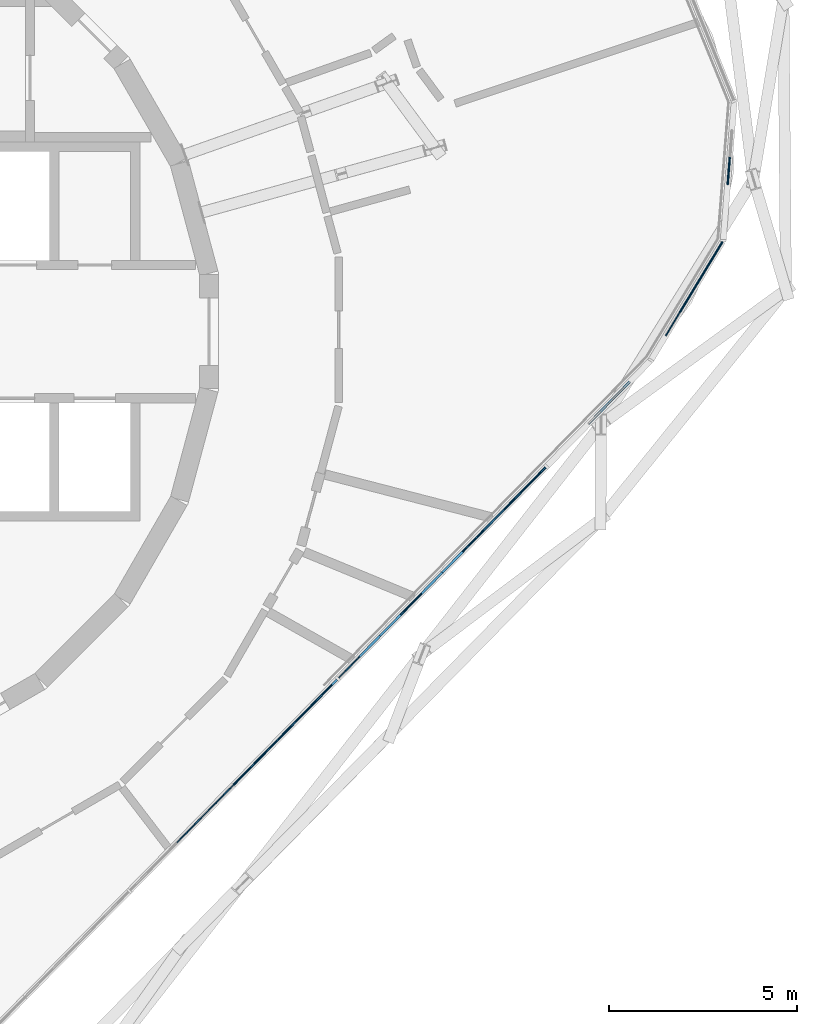
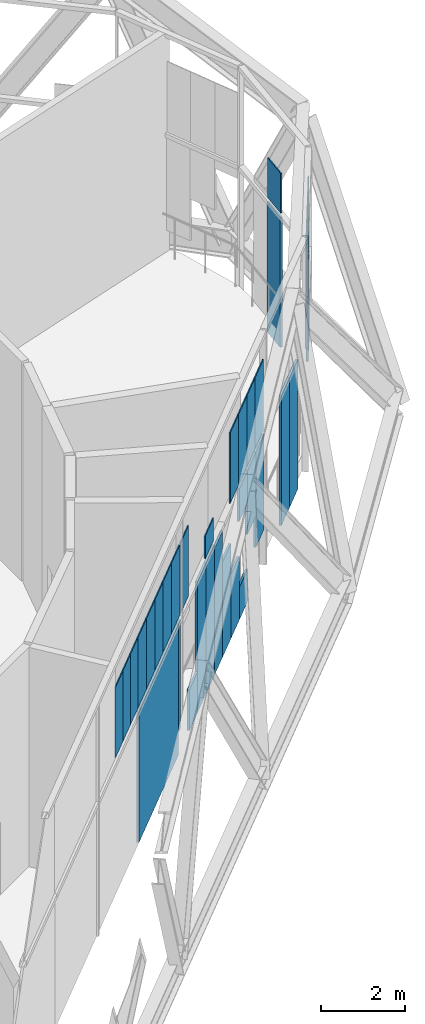
# One storey, part 11 of 23: 37 plates, 2 elements without a shape of their own.
"""IFC4 building model written with IfcOpenShell, lengths in metres."""

from ifc_helpers import new_model, si_unit, direction, frame, origin, origin_2d, place, context, subcontext, project, spatial, rectangle, extrude, material, layer, layer_set, type_object, element, aggregate, save


model = new_model("IFC4")

# Units and contexts
model_context = context("Model", 3, precision=1e-05, world=origin(), true_north=direction((0.0, 1.0)))
body_context = subcontext(model_context, "Body", "Model", "MODEL_VIEW")
ifc_project = project(units=[si_unit("LENGTHUNIT", "METRE"), si_unit("AREAUNIT", "SQUARE_METRE"), si_unit("VOLUMEUNIT", "CUBIC_METRE"), si_unit("PLANEANGLEUNIT", "RADIAN"), si_unit("MASSUNIT", "GRAM", prefix="KILO")], contexts=[model_context])

# Site, building, storey
site_placement = place(None, origin())
site = spatial("IfcSite", under=ifc_project, at=site_placement, CompositionType="ELEMENT")
building_placement = place(site_placement, origin())
building = spatial("IfcBuilding", under=site, at=building_placement, Name="Spindle Arch Residences", CompositionType="ELEMENT")
storey_placement = place(building_placement, frame((0.0, 0.0, 326.199951171875)))
storey = spatial("IfcBuildingStorey", under=building, at=storey_placement, Name="L84", CompositionType="ELEMENT", Elevation=326.199951171875)

# Curtain wall, plates
ifc_material_1 = material(Name="Aluminium bronze unitised frame with tinted glass", Category="aluminium")
ifc_layer_1 = layer(ifc_material_1, 0.159912109375)
ifc_layer_set_1 = layer_set([ifc_layer_1], Name="CW-E double-height winter garden wall")
curtain_wall_type = type_object("IfcCurtainWallType", Name="CW-E double-height winter garden wall", PredefinedType="NOTDEFINED", material=ifc_layer_set_1)
curtain_wall_1_placement = place(storey_placement, origin())
curtain_wall_1 = element("IfcCurtainWall", 1, at=curtain_wall_1_placement, inside=storey, type_object=curtain_wall_type, Name="CW-E L84 run 1", PredefinedType="NOTDEFINED")
ifc_material_2 = material(Name="Tinted laminated glass 28 mm", Category="glass")
ifc_layer_2 = layer(ifc_material_2, 0.028076171875)
ifc_layer_set_2 = layer_set([ifc_layer_2], Name="Tinted glass panel 28 mm")
plate_type_1 = type_object("IfcPlateType", Name="Tinted glass panel 28 mm", PredefinedType="CURTAIN_PANEL", material=ifc_layer_set_2)
plate_1_placement = place(storey_placement, frame((24.010498046875, 0.201904296875, 3.460205078125), z_axis=(0.0, 0.0, 1.0), x_axis=(0.517529288252, 0.855665492936, 0.0)))
plate_1 = element("IfcPlate", 2, at=plate_1_placement, type_object=plate_type_1, Name="CW-E panel 01b.1", PredefinedType="CURTAIN_PANEL", context=body_context, shape_type="SweptSolid", body=[
    extrude(rectangle(XDim=0.7333984375, YDim=0.028076171875, at=origin_2d()), origin(), (0.0, 0.0, 1.0), 2.0458984375),
])
plate_2_placement = place(storey_placement, frame((24.39013671875, 0.829345703125, 3.460205078125), z_axis=(0.0, 0.0, 1.0), x_axis=(0.517529288252, 0.855665492936, 0.0)))
plate_2 = element("IfcPlate", 3, at=plate_2_placement, type_object=plate_type_1, Name="CW-E panel 01b.2", PredefinedType="CURTAIN_PANEL", context=body_context, shape_type="SweptSolid", body=[
    extrude(rectangle(XDim=0.7333984375, YDim=0.028076171875, at=origin_2d()), origin(), (0.0, 0.0, 1.0), 2.0458984375),
])
plate_3_placement = place(storey_placement, frame((24.76953125, 1.456787109375, 3.460205078125), z_axis=(0.0, 0.0, 1.0), x_axis=(0.517529288252, 0.855665492936, 0.0)))
plate_3 = element("IfcPlate", 4, at=plate_3_placement, type_object=plate_type_1, Name="CW-E panel 01b.3", PredefinedType="CURTAIN_PANEL", context=body_context, shape_type="SweptSolid", body=[
    extrude(rectangle(XDim=0.7333984375, YDim=0.028076171875, at=origin_2d()), origin(), (0.0, 0.0, 1.0), 2.0458984375),
])
plate_4_placement = place(storey_placement, frame((25.149169921875, 2.08447265625, 3.460205078125), z_axis=(0.0, 0.0, 1.0), x_axis=(0.517529288252, 0.855665492936, 0.0)))
plate_4 = element("IfcPlate", 5, at=plate_4_placement, type_object=plate_type_1, Name="CW-E panel 01b.4", PredefinedType="CURTAIN_PANEL", context=body_context, shape_type="SweptSolid", body=[
    extrude(rectangle(XDim=0.7333984375, YDim=0.028076171875, at=origin_2d()), origin(), (0.0, 0.0, 1.0), 2.0458984375),
])
plate_5_placement = place(storey_placement, frame((25.50048828125, 4.281494140625, 3.4599609375), z_axis=(0.0, 0.0, 1.0), x_axis=(0.078459091935, 0.996917334032, 0.0)))
plate_5 = element("IfcPlate", 6, at=plate_5_placement, type_object=plate_type_1, Name="CW-E panel 02b.1", PredefinedType="CURTAIN_PANEL", context=body_context, shape_type="SweptSolid", body=[
    extrude(rectangle(XDim=0.7333984375, YDim=0.028076171875, at=origin_2d()), origin(), (0.0, 0.0, 1.0), 1.15625),
])

curtain_wall_2_placement = place(storey_placement, origin())
curtain_wall_2 = element("IfcCurtainWall", 7, at=curtain_wall_2_placement, inside=storey, type_object=curtain_wall_type, Name="CW-E L84 run 6", PredefinedType="NOTDEFINED")
plate_6_placement = place(storey_placement, frame((11.04345703125, -13.365478515625, 3.460205078125), z_axis=(0.0, 0.0, 1.0), x_axis=(0.7009092643, 0.713250449154, 0.0)))
plate_6 = element("IfcPlate", 8, at=plate_6_placement, type_object=plate_type_1, Name="CW-E panel 19Ab.2", PredefinedType="CURTAIN_PANEL", context=body_context, shape_type="SweptSolid", body=[
    extrude(rectangle(XDim=0.717041015625, YDim=0.028076171875, at=origin_2d()), origin(), (0.0, 0.0, 1.0), 2.0458984375),
])
plate_7_placement = place(storey_placement, frame((11.5458984375, -12.85400390625, 3.460205078125), z_axis=(0.0, 0.0, 1.0), x_axis=(0.7009092643, 0.713250449154, 0.0)))
plate_7 = element("IfcPlate", 9, at=plate_7_placement, type_object=plate_type_1, Name="CW-E panel 19Ab.3", PredefinedType="CURTAIN_PANEL", context=body_context, shape_type="SweptSolid", body=[
    extrude(rectangle(XDim=0.717041015625, YDim=0.028076171875, at=origin_2d()), origin(), (0.0, 0.0, 1.0), 2.0458984375),
])
plate_8_placement = place(storey_placement, frame((12.048583984375, -12.342529296875, 3.460205078125), z_axis=(0.0, 0.0, 1.0), x_axis=(0.7009092643, 0.713250449154, 0.0)))
plate_8 = element("IfcPlate", 10, at=plate_8_placement, type_object=plate_type_1, Name="CW-E panel 19Ab.4", PredefinedType="CURTAIN_PANEL", context=body_context, shape_type="SweptSolid", body=[
    extrude(rectangle(XDim=0.717041015625, YDim=0.028076171875, at=origin_2d()), origin(), (0.0, 0.0, 1.0), 2.0458984375),
])
plate_9_placement = place(storey_placement, frame((12.57568359375, -11.80615234375, 3.460205078125), z_axis=(0.0, 0.0, 1.0), x_axis=(0.7009092643, 0.713250449154, 0.0)))
plate_9 = element("IfcPlate", 11, at=plate_9_placement, type_object=plate_type_1, Name="CW-E panel 19Bb.1", PredefinedType="CURTAIN_PANEL", context=body_context, shape_type="SweptSolid", body=[
    extrude(rectangle(XDim=0.78759765625, YDim=0.028076171875, at=origin_2d()), origin(), (0.0, 0.0, 1.0), 2.0458984375),
])
plate_10_placement = place(storey_placement, frame((13.127685546875, -11.244384765625, 3.460205078125), z_axis=(0.0, 0.0, 1.0), x_axis=(0.7009092643, 0.713250449154, 0.0)))
plate_10 = element("IfcPlate", 12, at=plate_10_placement, type_object=plate_type_1, Name="CW-E panel 19Bb.2", PredefinedType="CURTAIN_PANEL", context=body_context, shape_type="SweptSolid", body=[
    extrude(rectangle(XDim=0.78759765625, YDim=0.028076171875, at=origin_2d()), origin(), (0.0, 0.0, 1.0), 2.0458984375),
])
plate_11_placement = place(storey_placement, frame((13.6796875, -10.6826171875, 3.460205078125), z_axis=(0.0, 0.0, 1.0), x_axis=(0.7009092643, 0.713250449154, 0.0)))
plate_11 = element("IfcPlate", 13, at=plate_11_placement, type_object=plate_type_1, Name="CW-E panel 19Bb.3", PredefinedType="CURTAIN_PANEL", context=body_context, shape_type="SweptSolid", body=[
    extrude(rectangle(XDim=0.78759765625, YDim=0.028076171875, at=origin_2d()), origin(), (0.0, 0.0, 1.0), 2.0458984375),
])
plate_12_placement = place(storey_placement, frame((14.231689453125, -10.12109375, 3.460205078125), z_axis=(0.0, 0.0, 1.0), x_axis=(0.7009092643, 0.713250449154, 0.0)))
plate_12 = element("IfcPlate", 14, at=plate_12_placement, type_object=plate_type_1, Name="CW-E panel 19Bb.4", PredefinedType="CURTAIN_PANEL", context=body_context, shape_type="SweptSolid", body=[
    extrude(rectangle(XDim=0.78759765625, YDim=0.028076171875, at=origin_2d()), origin(), (0.0, 0.0, 1.0), 2.0458984375),
])
plate_13_placement = place(storey_placement, frame((14.78369140625, -9.559326171875, 3.460205078125), z_axis=(0.0, 0.0, 1.0), x_axis=(0.7009092643, 0.713250449154, 0.0)))
plate_13 = element("IfcPlate", 15, at=plate_13_placement, type_object=plate_type_1, Name="CW-E panel 19Bb.5", PredefinedType="CURTAIN_PANEL", context=body_context, shape_type="SweptSolid", body=[
    extrude(rectangle(XDim=0.78759765625, YDim=0.028076171875, at=origin_2d()), origin(), (0.0, 0.0, 1.0), 2.0458984375),
])
plate_14_placement = place(storey_placement, frame((15.377685546875, -8.954833984375, 3.460205078125), z_axis=(0.0, 0.0, 1.0), x_axis=(0.7009092643, 0.713250449154, 0.0)))
plate_14 = element("IfcPlate", 16, at=plate_14_placement, type_object=plate_type_1, Name="CW-E panel 00Ab.1", PredefinedType="CURTAIN_PANEL", context=body_context, shape_type="SweptSolid", body=[
    extrude(rectangle(XDim=0.78759765625, YDim=0.028076171875, at=origin_2d()), origin(), (0.0, 0.0, 1.0), 2.0458984375),
])
plate_15_placement = place(storey_placement, frame((17.033447265625, -7.269775390625, 3.4599609375), z_axis=(0.0, 0.0, 1.0), x_axis=(0.7009092643, 0.713250449154, 0.0)))
plate_15 = element("IfcPlate", 17, at=plate_15_placement, type_object=plate_type_1, Name="CW-E panel 00Ab.2", PredefinedType="CURTAIN_PANEL", context=body_context, shape_type="SweptSolid", body=[
    extrude(rectangle(XDim=0.78759765625, YDim=0.028076171875, at=origin_2d()), origin(), (0.0, 0.0, 1.0), 0.6591796875),
])
plate_16_placement = place(storey_placement, frame((18.689453125, -5.584716796875, 3.460205078125), z_axis=(0.0, 0.0, 1.0), x_axis=(0.7009092643, 0.713250449154, 0.0)))
plate_16 = element("IfcPlate", 18, at=plate_16_placement, type_object=plate_type_1, Name="CW-E panel 00Bb.1", PredefinedType="CURTAIN_PANEL", context=body_context, shape_type="SweptSolid", body=[
    extrude(rectangle(XDim=0.78759765625, YDim=0.028076171875, at=origin_2d()), origin(), (0.0, 0.0, 1.0), 2.0458984375),
])
plate_17_placement = place(storey_placement, frame((19.241455078125, -5.02294921875, 3.460205078125), z_axis=(0.0, 0.0, 1.0), x_axis=(0.7009092643, 0.713250449154, 0.0)))
plate_17 = element("IfcPlate", 19, at=plate_17_placement, type_object=plate_type_1, Name="CW-E panel 00Bb.2", PredefinedType="CURTAIN_PANEL", context=body_context, shape_type="SweptSolid", body=[
    extrude(rectangle(XDim=0.78759765625, YDim=0.028076171875, at=origin_2d()), origin(), (0.0, 0.0, 1.0), 2.0458984375),
])
plate_18_placement = place(storey_placement, frame((19.79345703125, -4.461181640625, 3.460205078125), z_axis=(0.0, 0.0, 1.0), x_axis=(0.7009092643, 0.713250449154, 0.0)))
plate_18 = element("IfcPlate", 20, at=plate_18_placement, type_object=plate_type_1, Name="CW-E panel 00Bb.3", PredefinedType="CURTAIN_PANEL", context=body_context, shape_type="SweptSolid", body=[
    extrude(rectangle(XDim=0.78759765625, YDim=0.028076171875, at=origin_2d()), origin(), (0.0, 0.0, 1.0), 2.0458984375),
])
plate_19_placement = place(storey_placement, frame((20.345458984375, -3.899658203125, 3.460205078125), z_axis=(0.0, 0.0, 1.0), x_axis=(0.7009092643, 0.713250449154, 0.0)))
plate_19 = element("IfcPlate", 21, at=plate_19_placement, type_object=plate_type_1, Name="CW-E panel 00Bb.4", PredefinedType="CURTAIN_PANEL", context=body_context, shape_type="SweptSolid", body=[
    extrude(rectangle(XDim=0.78759765625, YDim=0.028076171875, at=origin_2d()), origin(), (0.0, 0.0, 1.0), 2.0458984375),
])

# Plate
ifc_material_3 = material(Name="Tinted double glazing over aluminium faced non-combustible spandrel zone (K0)", Category="aluminium")
ifc_layer_3 = layer(ifc_material_3, 0.06005859375)
ifc_layer_set_3 = layer_set([ifc_layer_3], Name="Unitised glass panel with E 60 spandrel zone")
plate_type_2 = type_object("IfcPlateType", Name="Unitised glass panel with E 60 spandrel zone", PredefinedType="CURTAIN_PANEL", material=ifc_layer_set_3)
plate_20_placement = place(storey_placement, frame((22.033935546875, -2.18115234375, -0.419921875), z_axis=(0.0, 0.0, 1.0), x_axis=(0.7009092643, 0.713250449154, 0.0)))
plate_20 = element("IfcPlate", 22, at=plate_20_placement, type_object=plate_type_2, Name="CW-E panel 00a.1", PredefinedType="CURTAIN_PANEL", context=body_context, shape_type="SweptSolid", body=[
    extrude(rectangle(XDim=0.7822265625, YDim=0.06005859375, at=origin_2d()), origin(), (0.0, 0.0, 1.0), 3.760009765625),
])

plate_21_placement = place(storey_placement, frame((22.582275390625, -1.623291015625, -0.419921875), z_axis=(0.0, 0.0, 1.0), x_axis=(0.7009092643, 0.713250449154, 0.0)))
plate_21 = element("IfcPlate", 23, at=plate_21_placement, type_object=plate_type_2, Name="CW-E panel 00a.2", PredefinedType="CURTAIN_PANEL", context=body_context, shape_type="SweptSolid", body=[
    extrude(rectangle(XDim=0.7822265625, YDim=0.06005859375, at=origin_2d()), origin(), (0.0, 0.0, 1.0), 3.760009765625),
])

plate_22_placement = place(storey_placement, frame((24.39013671875, 0.829345703125, 2.0458984375), z_axis=(0.0, 0.0, 1.0), x_axis=(0.517529288252, 0.855665492936, 0.0)))
plate_22 = element("IfcPlate", 24, at=plate_22_placement, type_object=plate_type_2, Name="CW-E panel 01a.2", PredefinedType="CURTAIN_PANEL", context=body_context, shape_type="SweptSolid", body=[
    extrude(rectangle(XDim=0.7333984375, YDim=0.06005859375, at=origin_2d()), origin(), (0.0, 0.0, 1.0), 1.294189453125),
])

plate_23_placement = place(storey_placement, frame((24.76953125, 1.456787109375, 1.15966796875), z_axis=(0.0, 0.0, 1.0), x_axis=(0.517529288252, 0.855665492936, 0.0)))
plate_23 = element("IfcPlate", 25, at=plate_23_placement, type_object=plate_type_2, Name="CW-E panel 01a.3", PredefinedType="CURTAIN_PANEL", context=body_context, shape_type="SweptSolid", body=[
    extrude(rectangle(XDim=0.7333984375, YDim=0.06005859375, at=origin_2d()), origin(), (0.0, 0.0, 1.0), 2.180419921875),
])

plate_24_placement = place(storey_placement, frame((25.149169921875, 2.08447265625, 1.02001953125), z_axis=(0.0, 0.0, 1.0), x_axis=(0.517529288252, 0.855665492936, 0.0)))
plate_24 = element("IfcPlate", 26, at=plate_24_placement, type_object=plate_type_2, Name="CW-E panel 01a.4", PredefinedType="CURTAIN_PANEL", context=body_context, shape_type="SweptSolid", body=[
    extrude(rectangle(XDim=0.7333984375, YDim=0.06005859375, at=origin_2d()), origin(), (0.0, 0.0, 1.0), 2.320068359375),
])

plate_25_placement = place(storey_placement, frame((25.50048828125, 4.281494140625, -0.419921875), z_axis=(0.0, 0.0, 1.0), x_axis=(0.078459091935, 0.996917334032, 0.0)))
plate_25 = element("IfcPlate", 27, at=plate_25_placement, type_object=plate_type_2, Name="CW-E panel 02a.1", PredefinedType="CURTAIN_PANEL", context=body_context, shape_type="SweptSolid", body=[
    extrude(rectangle(XDim=0.7333984375, YDim=0.06005859375, at=origin_2d()), origin(), (0.0, 0.0, 1.0), 3.760009765625),
])

aggregate(curtain_wall_1, [plate_20, plate_21, plate_22, plate_23, plate_24, plate_1, plate_2, plate_3, plate_4, plate_25, plate_5])

plate_26_placement = place(storey_placement, frame((13.612060546875, -10.75146484375, -0.449951171875), z_axis=(0.0, 0.0, 1.0), x_axis=(0.7009092643, 0.713250449154, 0.0)))
plate_26 = element("IfcPlate", 28, at=plate_26_placement, type_object=plate_type_2, Name="CW-E panel 19Ba.1", PredefinedType="CURTAIN_PANEL", context=body_context, shape_type="SweptSolid", body=[
    extrude(rectangle(XDim=3.744873046875, YDim=0.06005859375, at=origin_2d()), origin(), (0.0, 0.0, 1.0), 3.7900390625),
])

plate_27_placement = place(storey_placement, frame((14.9921875, -9.34716796875, 0.1943359375), z_axis=(0.0, 0.0, 1.0), x_axis=(0.7009092643, 0.713250449154, 0.0)))
plate_27 = element("IfcPlate", 29, at=plate_27_placement, type_object=plate_type_2, Name="CW-E panel 19Ba.2", PredefinedType="CURTAIN_PANEL", context=body_context, shape_type="SweptSolid", body=[
    extrude(rectangle(XDim=0.192626953125, YDim=0.06005859375, at=origin_2d()), origin(), (0.0, 0.0, 1.0), 3.145751953125),
])

plate_28_placement = place(storey_placement, frame((15.9296875, -8.39306640625, -0.449951171875), z_axis=(0.0, 0.0, 1.0), x_axis=(0.7009092643, 0.713250449154, 0.0)))
plate_28 = element("IfcPlate", 30, at=plate_28_placement, type_object=plate_type_2, Name="CW-E panel 00Aa.2", PredefinedType="CURTAIN_PANEL", context=body_context, shape_type="SweptSolid", body=[
    extrude(rectangle(XDim=0.78759765625, YDim=0.06005859375, at=origin_2d()), origin(), (0.0, 0.0, 1.0), 1.17431640625),
])

plate_29_placement = place(storey_placement, frame((16.481689453125, -7.83154296875, -0.449951171875), z_axis=(0.0, 0.0, 1.0), x_axis=(0.7009092643, 0.713250449154, 0.0)))
plate_29 = element("IfcPlate", 31, at=plate_29_placement, type_object=plate_type_2, Name="CW-E panel 00Aa.3", PredefinedType="CURTAIN_PANEL", context=body_context, shape_type="SweptSolid", body=[
    extrude(rectangle(XDim=0.78759765625, YDim=0.06005859375, at=origin_2d()), origin(), (0.0, 0.0, 1.0), 3.7900390625),
])

plate_30_placement = place(storey_placement, frame((17.033447265625, -7.269775390625, -0.449951171875), z_axis=(0.0, 0.0, 1.0), x_axis=(0.7009092643, 0.713250449154, 0.0)))
plate_30 = element("IfcPlate", 32, at=plate_30_placement, type_object=plate_type_2, Name="CW-E panel 00Aa.4", PredefinedType="CURTAIN_PANEL", context=body_context, shape_type="SweptSolid", body=[
    extrude(rectangle(XDim=0.78759765625, YDim=0.06005859375, at=origin_2d()), origin(), (0.0, 0.0, 1.0), 3.7900390625),
])

plate_31_placement = place(storey_placement, frame((17.58544921875, -6.7080078125, -0.449951171875), z_axis=(0.0, 0.0, 1.0), x_axis=(0.7009092643, 0.713250449154, 0.0)))
plate_31 = element("IfcPlate", 33, at=plate_31_placement, type_object=plate_type_2, Name="CW-E panel 00Aa.5", PredefinedType="CURTAIN_PANEL", context=body_context, shape_type="SweptSolid", body=[
    extrude(rectangle(XDim=0.78759765625, YDim=0.06005859375, at=origin_2d()), origin(), (0.0, 0.0, 1.0), 3.66162109375),
])

plate_32_placement = place(storey_placement, frame((18.137451171875, -6.146484375, -0.4501953125), z_axis=(0.0, 0.0, 1.0), x_axis=(0.7009092643, 0.713250449154, 0.0)))
plate_32 = element("IfcPlate", 34, at=plate_32_placement, type_object=plate_type_2, Name="CW-E panel 00Ba.1", PredefinedType="CURTAIN_PANEL", context=body_context, shape_type="SweptSolid", body=[
    extrude(rectangle(XDim=0.78759765625, YDim=0.06005859375, at=origin_2d()), origin(), (0.0, 0.0, 1.0), 2.754150390625),
])

plate_33_placement = place(storey_placement, frame((18.689453125, -5.584716796875, -0.449951171875), z_axis=(0.0, 0.0, 1.0), x_axis=(0.7009092643, 0.713250449154, 0.0)))
plate_33 = element("IfcPlate", 35, at=plate_33_placement, type_object=plate_type_2, Name="CW-E panel 00Ba.2", PredefinedType="CURTAIN_PANEL", context=body_context, shape_type="SweptSolid", body=[
    extrude(rectangle(XDim=0.78759765625, YDim=0.06005859375, at=origin_2d()), origin(), (0.0, 0.0, 1.0), 1.8466796875),
])

plate_34_placement = place(storey_placement, frame((19.241455078125, -5.02294921875, -0.449951171875), z_axis=(0.0, 0.0, 1.0), x_axis=(0.7009092643, 0.713250449154, 0.0)))
plate_34 = element("IfcPlate", 36, at=plate_34_placement, type_object=plate_type_2, Name="CW-E panel 00Ba.3", PredefinedType="CURTAIN_PANEL", context=body_context, shape_type="SweptSolid", body=[
    extrude(rectangle(XDim=0.78759765625, YDim=0.06005859375, at=origin_2d()), origin(), (0.0, 0.0, 1.0), 0.93896484375),
])

plate_35_placement = place(storey_placement, frame((19.241455078125, -5.02294921875, 2.403564453125), z_axis=(0.0, 0.0, 1.0), x_axis=(0.7009092643, 0.713250449154, 0.0)))
plate_35 = element("IfcPlate", 37, at=plate_35_placement, type_object=plate_type_2, Name="CW-E panel 00Ba.4", PredefinedType="CURTAIN_PANEL", context=body_context, shape_type="SweptSolid", body=[
    extrude(rectangle(XDim=0.78759765625, YDim=0.06005859375, at=origin_2d()), origin(), (0.0, 0.0, 1.0), 0.9365234375),
])

plate_36_placement = place(storey_placement, frame((19.79345703125, -4.461181640625, 1.49609375), z_axis=(0.0, 0.0, 1.0), x_axis=(0.7009092643, 0.713250449154, 0.0)))
plate_36 = element("IfcPlate", 38, at=plate_36_placement, type_object=plate_type_2, Name="CW-E panel 00Ba.5", PredefinedType="CURTAIN_PANEL", context=body_context, shape_type="SweptSolid", body=[
    extrude(rectangle(XDim=0.78759765625, YDim=0.06005859375, at=origin_2d()), origin(), (0.0, 0.0, 1.0), 1.843994140625),
])

plate_37_placement = place(storey_placement, frame((20.345458984375, -3.899658203125, 0.588623046875), z_axis=(0.0, 0.0, 1.0), x_axis=(0.7009092643, 0.713250449154, 0.0)))
plate_37 = element("IfcPlate", 39, at=plate_37_placement, type_object=plate_type_2, Name="CW-E panel 00Ba.6", PredefinedType="CURTAIN_PANEL", context=body_context, shape_type="SweptSolid", body=[
    extrude(rectangle(XDim=0.78759765625, YDim=0.06005859375, at=origin_2d()), origin(), (0.0, 0.0, 1.0), 2.75146484375),
])

aggregate(curtain_wall_2, [plate_6, plate_7, plate_8, plate_26, plate_27, plate_9, plate_10, plate_11, plate_12, plate_13, plate_28, plate_29, plate_30, plate_31, plate_14, plate_15, plate_32, plate_33, plate_34, plate_35, plate_36, plate_37, plate_16, plate_17, plate_18, plate_19])

save(model, "model.ifc")
